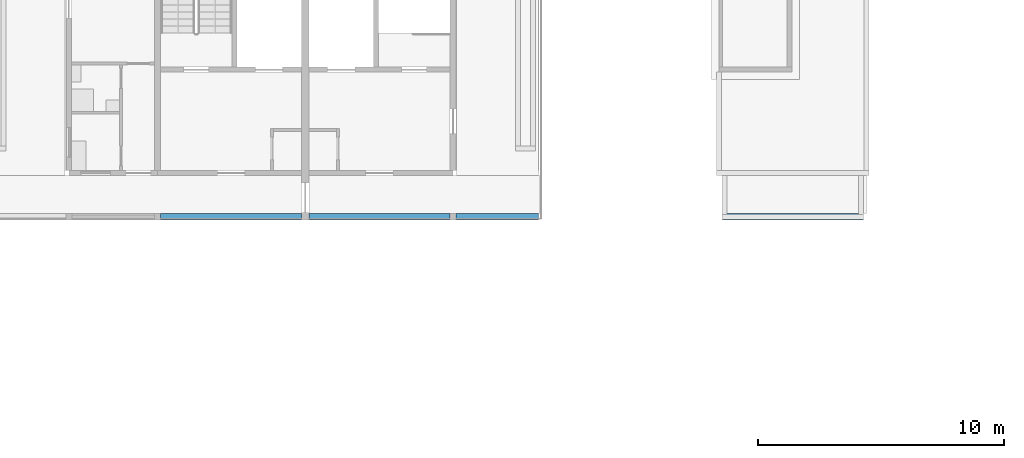
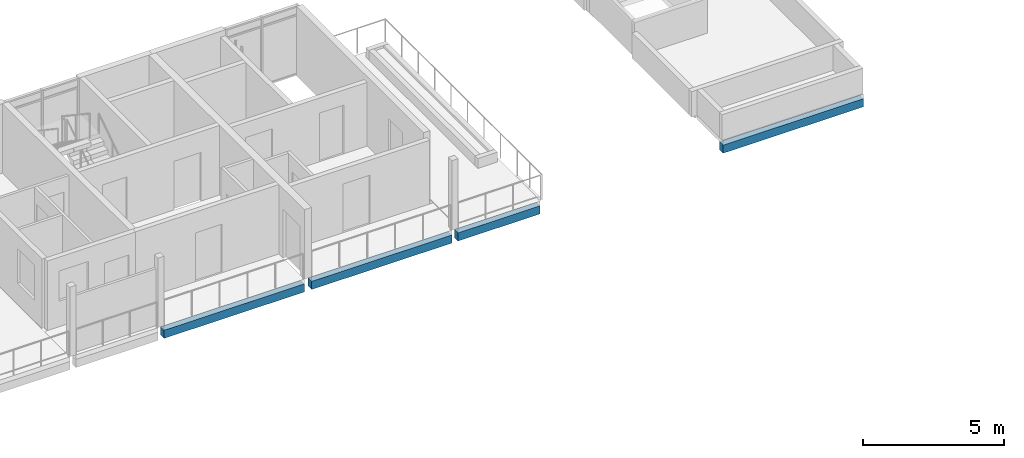
# One storey, part 11 of 87: 4 beams.
"""IFC4 building model written with IfcOpenShell, lengths in metres."""

from ifc_helpers import new_model, si_unit, direction, frame, origin, origin_2d, place, context, subcontext, project, spatial, rectangle, extrude, material, material_profile, profile_set, type_object, element, save


model = new_model("IFC4")

# Units and contexts
model_context = context("Model", 3, precision=1e-05, world=origin(), true_north=direction((0.0, 1.0)))
body_context = subcontext(model_context, "Body", "Model", "MODEL_VIEW")
ifc_project = project(units=[si_unit("LENGTHUNIT", "METRE"), si_unit("AREAUNIT", "SQUARE_METRE"), si_unit("VOLUMEUNIT", "CUBIC_METRE"), si_unit("PLANEANGLEUNIT", "RADIAN"), si_unit("MASSUNIT", "GRAM", prefix="KILO")], contexts=[model_context])

# Site, building, storey
site_placement = place(None, origin())
site = spatial("IfcSite", under=ifc_project, at=site_placement, CompositionType="ELEMENT")
building_placement = place(site_placement, origin())
building = spatial("IfcBuilding", under=site, at=building_placement, Name="Ridgestep Commons", CompositionType="ELEMENT")
storey_placement = place(building_placement, frame((0.0, 0.0, 27.0)))
storey = spatial("IfcBuildingStorey", under=building, at=storey_placement, Name="L09", CompositionType="ELEMENT", Elevation=27.0)

# Beams
ifc_material = material(Name="Precast concrete C40/50", Category="concrete")
ifc_material_profile = material_profile(ifc_material, rectangle(XDim=0.25, YDim=0.35009765625, at=origin_2d()), Name="PC 250x350")
ifc_profile_set = profile_set([ifc_material_profile], Name="Precast concrete C40/50")
beam_type = type_object("IfcBeamType", Name="Loggia edge beam 250 x 350", PredefinedType="SPANDREL", material=ifc_profile_set)
beam_1_placement = place(storey_placement, frame((73.324951171875, 66.125, -0.375), z_axis=(1.0, 0.0, 0.0), x_axis=(0.0, 1.0, 0.0)))
element("IfcBeam", 1, at=beam_1_placement, inside=storey, type_object=beam_type, Name="Loggia edge beam B4C L09", PredefinedType="SPANDREL", context=body_context, shape_type="SweptSolid", body=[
    extrude(rectangle(XDim=0.25, YDim=0.35009765625, at=origin_2d()), origin(), (0.0, 0.0, 1.0), 5.72509765625),
])
beam_2_placement = place(storey_placement, frame((79.35009765625, 66.125, -0.375), z_axis=(1.0, 0.0, 0.0), x_axis=(0.0, 1.0, 0.0)))
element("IfcBeam", 2, at=beam_2_placement, inside=storey, type_object=beam_type, Name="Loggia edge beam B5C L09", PredefinedType="SPANDREL", context=body_context, shape_type="SweptSolid", body=[
    extrude(rectangle(XDim=0.25, YDim=0.35009765625, at=origin_2d()), origin(), (0.0, 0.0, 1.0), 5.724853515625),
])
beam_3_placement = place(storey_placement, frame((85.324951171875, 66.125, -0.375), z_axis=(1.0, 0.0, 0.0), x_axis=(0.0, 1.0, 0.0)))
element("IfcBeam", 3, at=beam_3_placement, inside=storey, type_object=beam_type, Name="Loggia edge beam B5T3 L09", PredefinedType="SPANDREL", context=body_context, shape_type="SweptSolid", body=[
    extrude(rectangle(XDim=0.25, YDim=0.35009765625, at=origin_2d()), origin(), (0.0, 0.0, 1.0), 3.35009765625),
])
beam_4_placement = place(storey_placement, frame((96.14990234375, 66.125, -0.375), z_axis=(1.0, 0.0, 0.0), x_axis=(0.0, 1.0, 0.0)))
element("IfcBeam", 4, at=beam_4_placement, inside=storey, type_object=beam_type, Name="Loggia edge beam B6C L09", PredefinedType="SPANDREL", context=body_context, shape_type="SweptSolid", body=[
    extrude(rectangle(XDim=0.25, YDim=0.35009765625, at=origin_2d()), origin(), (0.0, 0.0, 1.0), 5.72509765625),
])

save(model, "model.ifc")
